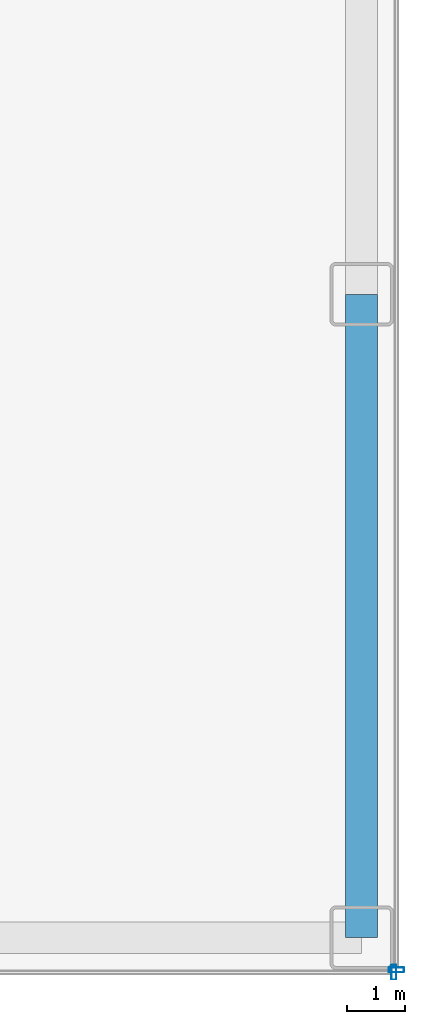
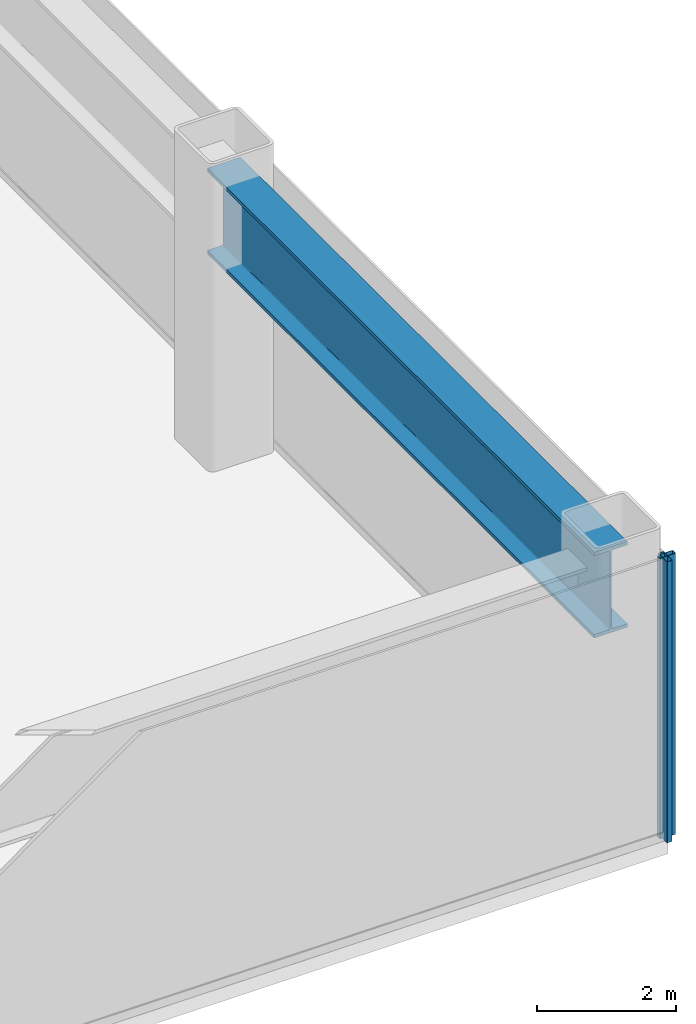
# One storey, part 12 of 24: 2 members, 1 beam, 2 elements without a shape of their own.
"""IFC4 building model written with IfcOpenShell, lengths in metres."""

from ifc_helpers import new_model, si_unit, direction, frame, origin, origin_2d, place, context, subcontext, project, spatial, hollow_rectangle, i_section, extrude, source, transform, mapped, material, layer, layer_set, material_profile, profile_set, type_object, element, aggregate, save


model = new_model("IFC4")

# Units and contexts
model_context = context("Model", 3, precision=1e-05, world=origin(), true_north=direction((0.0, 1.0)))
body_context = subcontext(model_context, "Body", "Model", "MODEL_VIEW")
ifc_project = project(units=[si_unit("LENGTHUNIT", "METRE"), si_unit("AREAUNIT", "SQUARE_METRE"), si_unit("VOLUMEUNIT", "CUBIC_METRE"), si_unit("PLANEANGLEUNIT", "RADIAN"), si_unit("MASSUNIT", "GRAM", prefix="KILO")], contexts=[model_context])

# Site, building, storey
site_placement = place(None, origin())
site = spatial("IfcSite", under=ifc_project, at=site_placement, CompositionType="ELEMENT")
building_placement = place(site_placement, origin())
building = spatial("IfcBuilding", under=site, at=building_placement, Name="Nefas-Gora Pilgrimage Tower", CompositionType="ELEMENT")
storey_placement = place(building_placement, frame((0.0, 0.0, 22.199951171875)))
storey = spatial("IfcBuildingStorey", under=building, at=storey_placement, Name="L04", CompositionType="ELEMENT", Elevation=22.199951171875)

# Beam
ifc_material_1 = material(Name="Steel S460", Category="steel")
ifc_material_profile_1 = material_profile(ifc_material_1, i_section(OverallWidth=0.550048828125, OverallDepth=1.5, WebThickness=0.031982421875, FlangeThickness=0.06005859375, FilletRadius=0.02392578125, at=origin_2d()), Name="WPG 1500x550x32x60")
ifc_profile_set_1 = profile_set([ifc_material_profile_1], Name="Steel S460")
beam_type = type_object("IfcBeamType", Name="BM-TR-1500E", PredefinedType="BEAM", material=ifc_profile_set_1)
shared_shape_1 = source(origin(), body_context, "Body", "SweptSolid", [
    extrude(i_section(OverallWidth=0.550048828125, OverallDepth=1.5, WebThickness=0.031982421875, FlangeThickness=0.06005859375, FilletRadius=0.02392578125, at=origin_2d()), origin(), (0.0, 0.0, 1.0), 11.10009765625),
])
beam_placement = place(storey_placement, frame((37.64990234375, -24.60009765625, 4.170166015625), z_axis=(0.0, 1.0, 0.0), x_axis=(-1.0, 0.0, 0.0)))
element("IfcBeam", 1, at=beam_placement, inside=storey, type_object=beam_type, Name="L04 TB-01E beam", PredefinedType="BEAM", context=body_context, shape_type="MappedRepresentation", body=[
    mapped(shared_shape_1, transform((0.0, 0.0, 0.0), x_axis=(1.0, 0.0, 0.0), y_axis=(0.0, 1.0, 0.0), z_axis=(0.0, 0.0, 1.0), scale=1.0)),
])

# Curtain wall, member
ifc_material_2 = material(Name="Dark ceramic-fritted solar-control aluminium-glass curtain wall", Category="aluminium")
ifc_layer = layer(ifc_material_2, 0.219970703125)
ifc_layer_set = layer_set([ifc_layer], Name="Dark ceramic-fritted solar-control aluminium-glass curtain wall")
curtain_wall_type = type_object("IfcCurtainWallType", Name="CW-SYS-1", PredefinedType="NOTDEFINED", material=ifc_layer_set)
curtain_wall_1_placement = place(storey_placement, origin())
curtain_wall_1 = element("IfcCurtainWall", 2, at=curtain_wall_1_placement, inside=storey, type_object=curtain_wall_type, Name="L04 Unitised Curtain Wall CW1", PredefinedType="NOTDEFINED")
ifc_material_3 = material(Name="Anodised architectural aluminium", Category="aluminium")
ifc_material_profile_2 = material_profile(ifc_material_3, hollow_rectangle(XDim=0.090087890625, YDim=0.260009765625, WallThickness=0.006103515625, InnerFilletRadius=0.006103515625, OuterFilletRadius=0.011962890625, at=origin_2d()), Name="ALU MULLION 90x260")
ifc_profile_set_2 = profile_set([ifc_material_profile_2], Name="Anodised architectural aluminium")
member_type = type_object("IfcMemberType", Name="CWM-MUL-1", PredefinedType="MULLION", material=ifc_profile_set_2)
shared_shape_2 = source(origin(), body_context, "Body", "SweptSolid", [
    extrude(hollow_rectangle(XDim=0.090087890625, YDim=0.260009765625, WallThickness=0.006103515625, InnerFilletRadius=0.006103515625, OuterFilletRadius=0.011962890625, at=origin_2d()), origin(), (0.0, 0.0, 1.0), 4.920166015625),
])
member_1_placement = place(storey_placement, frame((38.25, -25.155029296875, 0.0), z_axis=(0.0, 0.0, 1.0), x_axis=(0.0, 1.0, 0.0)))
member_1 = element("IfcMember", 3, at=member_1_placement, type_object=member_type, Name="CW1 Mullion 1", PredefinedType="MULLION", context=body_context, shape_type="MappedRepresentation", body=[
    mapped(shared_shape_2, transform((0.0, 0.0, 0.0), x_axis=(1.0, 0.0, 0.0), y_axis=(0.0, 1.0, 0.0), z_axis=(0.0, 0.0, 1.0), scale=1.0)),
])
aggregate(curtain_wall_1, [member_1])

curtain_wall_2_placement = place(storey_placement, origin())
curtain_wall_2 = element("IfcCurtainWall", 4, at=curtain_wall_2_placement, inside=storey, type_object=curtain_wall_type, Name="L04 Unitised Curtain Wall CW1", PredefinedType="NOTDEFINED")
member_2_placement = place(storey_placement, frame((38.205078125, -25.199951171875, 0.0), z_axis=(0.0, 0.0, 1.0), x_axis=(1.0, 0.0, 0.0)))
member_2 = element("IfcMember", 5, at=member_2_placement, type_object=member_type, Name="CW1 Mullion 3", PredefinedType="MULLION", context=body_context, shape_type="MappedRepresentation", body=[
    mapped(shared_shape_2, transform((0.0, 0.0, 0.0), x_axis=(1.0, 0.0, 0.0), y_axis=(0.0, 1.0, 0.0), z_axis=(0.0, 0.0, 1.0), scale=1.0)),
])
aggregate(curtain_wall_2, [member_2])

save(model, "model.ifc")
